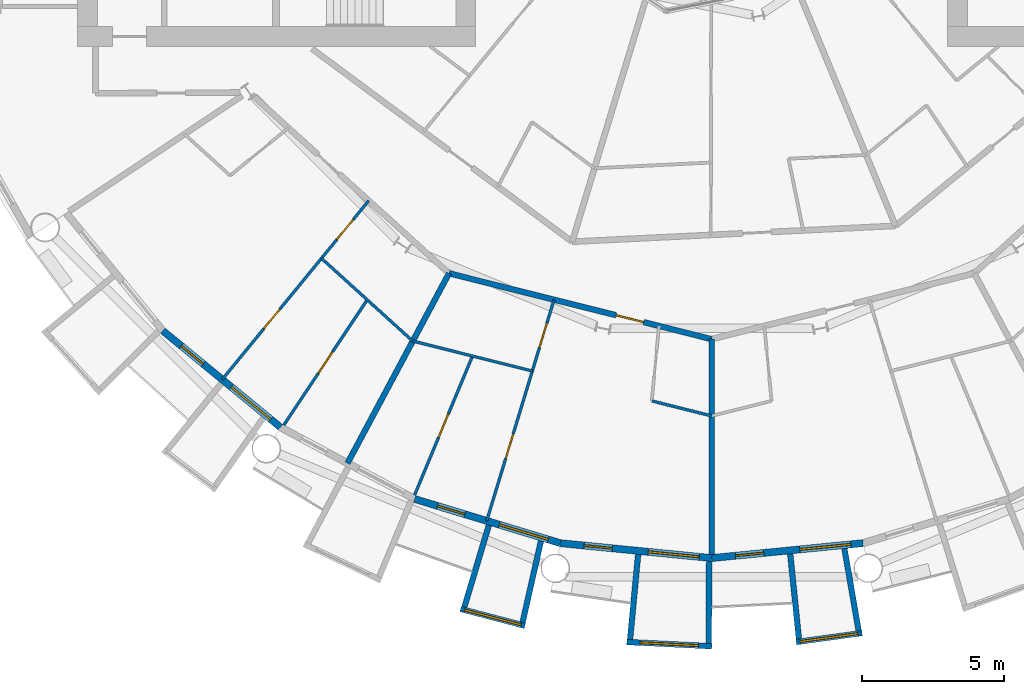
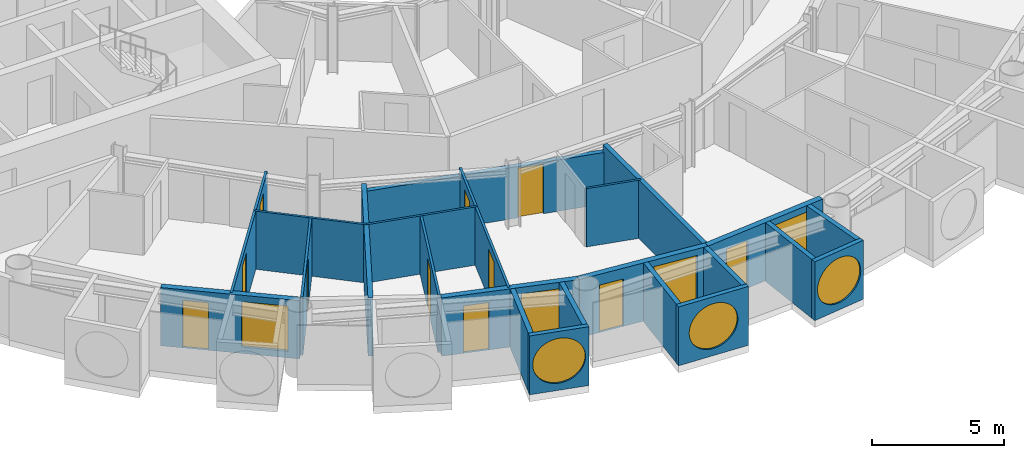
# One storey, part 13 of 26: 23 walls, 11 doors, 7 windows, 18 openings.
"""IFC4 building model written with IfcOpenShell, lengths in metres."""

from ifc_helpers import new_model, si_unit, direction, frame, frame_2d, origin, place, context, subcontext, project, spatial, rectangle, circle, extrude, material, layer, layer_set, type_object, element, fill, save


model = new_model("IFC4")

# Units and contexts
model_context = context("Model", 3, precision=1e-05, world=origin(), true_north=direction((0.0, 1.0)))
body_context = subcontext(model_context, "Body", "Model", "MODEL_VIEW")
ifc_project = project(units=[si_unit("LENGTHUNIT", "METRE"), si_unit("AREAUNIT", "SQUARE_METRE"), si_unit("VOLUMEUNIT", "CUBIC_METRE"), si_unit("PLANEANGLEUNIT", "RADIAN"), si_unit("MASSUNIT", "GRAM", prefix="KILO")], contexts=[model_context])

# Site, building, storey
site_placement = place(None, origin())
site = spatial("IfcSite", under=ifc_project, at=site_placement, CompositionType="ELEMENT")
building_placement = place(site_placement, origin())
building = spatial("IfcBuilding", under=site, at=building_placement, Name="Maasbend Ring Residences", CompositionType="ELEMENT")
storey_placement = place(building_placement, frame((0.0, 0.0, 84.949951171875)))
storey = spatial("IfcBuildingStorey", under=building, at=storey_placement, Name="L24", CompositionType="ELEMENT", Elevation=84.949951171875)

# Wall, opening, door
ifc_material_1 = material(Name="Concrete C30/37", Category="concrete")
ifc_layer_1 = layer(ifc_material_1, 0.199951171875)
ifc_layer_set_1 = layer_set([ifc_layer_1], Name="Concrete C30/37")
wall_type_1 = type_object("IfcWallType", Name="CORRIDOR WALL 200 CONCRETE", PredefinedType="PARTITIONING", material=ifc_layer_set_1)
wall_1_placement = place(storey_placement, frame((-9.241943359375, -17.283935546875, 0.0), z_axis=(0.0, 0.0, 1.0), x_axis=(0.970002158938, -0.243096301198, 0.0)))
wall_1 = element("IfcWall", 1, at=wall_1_placement, inside=storey, type_object=wall_type_1, Name="U-L24-w012", PredefinedType="PARTITIONING", context=body_context, shape_type="SweptSolid", body=[
    extrude(rectangle(XDim=9.52783203125, YDim=0.199951171875, at=frame_2d((4.763916015625, 0.0))), origin(), (0.0, 0.0, 1.0), 2.380126953125),
])
opening_1_placement = place(wall_1_placement, frame((6.06201171875, 0.0, 0.0)))
opening_1 = element("IfcOpeningElement", 2, at=opening_1_placement, cuts=wall_1, Name="Opening D-2438", PredefinedType="OPENING", context=body_context, shape_type="SweptSolid", body=[
    extrude(rectangle(XDim=1.0, YDim=2.300048828125, at=frame_2d((0.5, 1.14990234375))), frame((0.0, 0.10986328125, 0.0), z_axis=(0.0, -1.0, 0.0), x_axis=(1.0, 0.0, 0.0)), (0.0, 0.0, 1.0), 0.219970703125),
])
ifc_material_2 = material(Name="Timber, fire-rated, painted", Category="wood")
door_type_1 = type_object("IfcDoorType", Name="FLAT ENTRANCE DOOR 1000 X 2300 FIRE-RATED", OperationType="NOTDEFINED", PredefinedType="DOOR", material=ifc_material_2)
door_1_placement = place(opening_1_placement, origin())
door_1 = element("IfcDoor", 3, at=door_1_placement, inside=storey, type_object=door_type_1, Name="D-2438", OperationType="SINGLE_SWING_RIGHT", OverallHeight=2.300048828125, OverallWidth=1.0, PredefinedType="DOOR", context=body_context, shape_type="SweptSolid", body=[
    extrude(rectangle(XDim=1.0, YDim=2.300048828125, at=frame_2d((0.5, 1.14990234375))), frame((0.0, 0.02490234375, 0.0), z_axis=(0.0, -1.0, 0.0), x_axis=(1.0, 0.0, 0.0)), (0.0, 0.0, 1.0), 0.050048828125),
])
fill(opening_1, door_1)

# Wall, opening, window
ifc_material_3 = material(Name="Pale anodised aluminium panel", Category="aluminium")
ifc_layer_2 = layer(ifc_material_3, 0.199951171875)
ifc_layer_set_2 = layer_set([ifc_layer_2], Name="EW-BOX")
wall_type_2 = type_object("IfcWallType", Name="EW-BOX", PredefinedType="SOLIDWALL", material=ifc_layer_set_2)
wall_2_placement = place(storey_placement, frame((-8.827880859375, -29.090087890625, -0.030029296875), z_axis=(0.0, 0.0, 1.0), x_axis=(0.967377102346, -0.253340762326, 0.0)))
wall_2 = element("IfcWall", 4, at=wall_2_placement, inside=storey, type_object=wall_type_2, Name="Box front S08", PredefinedType="SOLIDWALL", context=body_context, shape_type="SweptSolid", body=[
    extrude(rectangle(XDim=2.3359375, YDim=0.199951171875, at=frame_2d((1.16796875, 0.0))), origin(), (0.0, 0.0, 1.0), 2.72998046875),
])
opening_2_placement = place(wall_2_placement, frame((0.128173828125, 0.0, 0.330078125)))
opening_2 = element("IfcOpeningElement", 5, at=opening_2_placement, cuts=wall_2, Name="Opening W-RD", PredefinedType="OPENING", context=body_context, shape_type="SweptSolid", body=[
    extrude(circle(Radius=1.0400390625, at=frame_2d((1.0400390625, 1.0400390625))), frame((0.0, 0.10986328125, 0.0), z_axis=(0.0, -1.0, 0.0), x_axis=(1.0, 0.0, 0.0)), (0.0, 0.0, 1.0), 0.219970703125),
])
ifc_material_4 = material(Name="Aluminium and clear glass", Category="aluminium")
window_type_1 = type_object("IfcWindowType", Name="W-RD", PartitioningType="SINGLE_PANEL", PredefinedType="WINDOW", material=ifc_material_4)
window_1_placement = place(opening_2_placement, origin())
window_1 = element("IfcWindow", 6, at=window_1_placement, inside=storey, type_object=window_type_1, Name="Round window S08", OverallHeight=2.080078125, OverallWidth=2.080078125, PartitioningType="SINGLE_PANEL", PredefinedType="WINDOW", context=body_context, shape_type="SweptSolid", body=[
    extrude(circle(Radius=1.0400390625, at=frame_2d((1.0400390625, 1.0400390625))), frame((0.0, 0.030029296875, 0.0), z_axis=(0.0, -1.0, 0.0), x_axis=(1.0, 0.0, 0.0)), (0.0, 0.0, 1.0), 0.06005859375),
])
fill(opening_2, window_1)

# Walls
wall_3_placement = place(storey_placement, frame((-7.8369140625, -26.14404296875, -0.030029296875), z_axis=(0.0, 0.0, 1.0), x_axis=(-0.287064767992, -0.957911174889, 0.0)))
element("IfcWall", 7, at=wall_3_placement, inside=storey, type_object=wall_type_2, Name="Box side wall S08 left", PredefinedType="SOLIDWALL", context=body_context, shape_type="SweptSolid", body=[
    extrude(rectangle(XDim=3.00634765625, YDim=0.199951171875, at=frame_2d((1.503173828125, 0.0))), origin(), (0.0, 0.0, 1.0), 2.72998046875),
])
wall_4_placement = place(storey_placement, frame((-6.00390625, -26.699951171875, -0.030029296875), z_axis=(0.0, 0.0, 1.0), x_axis=(-0.219609259383, -0.975587911566, 0.0)))
element("IfcWall", 8, at=wall_4_placement, inside=storey, type_object=wall_type_2, Name="Box side wall S08 right", PredefinedType="SOLIDWALL", context=body_context, shape_type="SweptSolid", body=[
    extrude(rectangle(XDim=2.9326171875, YDim=0.199951171875, at=frame_2d((1.46630859375, 0.0))), origin(), (0.0, 0.0, 1.0), 2.72998046875),
])

# Wall, opening, window
wall_5_placement = place(storey_placement, frame((-2.985107421875, -30.2529296875, -0.030029296875), z_axis=(0.0, 0.0, 1.0), x_axis=(0.998794083011, -0.049095618353, 0.0)))
wall_5 = element("IfcWall", 9, at=wall_5_placement, inside=storey, type_object=wall_type_2, Name="Box front S10", PredefinedType="SOLIDWALL", context=body_context, shape_type="SweptSolid", body=[
    extrude(rectangle(XDim=2.99365234375, YDim=0.199951171875, at=frame_2d((1.496826171875, 0.0))), origin(), (0.0, 0.0, 1.0), 2.72998046875),
])
opening_3_placement = place(wall_5_placement, frame((0.45654296875, 0.0, 0.330078125)))
opening_3 = element("IfcOpeningElement", 10, at=opening_3_placement, cuts=wall_5, Name="Opening W-RD", PredefinedType="OPENING", context=body_context, shape_type="SweptSolid", body=[
    extrude(circle(Radius=1.0400390625, at=frame_2d((1.0400390625, 1.0400390625))), frame((0.0, 0.10986328125, 0.0), z_axis=(0.0, -1.0, 0.0), x_axis=(1.0, 0.0, 0.0)), (0.0, 0.0, 1.0), 0.219970703125),
])
window_2_placement = place(opening_3_placement, origin())
window_2 = element("IfcWindow", 11, at=window_2_placement, inside=storey, type_object=window_type_1, Name="Round window S10", OverallHeight=2.080078125, OverallWidth=2.080078125, PartitioningType="SINGLE_PANEL", PredefinedType="WINDOW", context=body_context, shape_type="SweptSolid", body=[
    extrude(circle(Radius=1.0400390625, at=frame_2d((1.0400390625, 1.0400390625))), frame((0.0, 0.030029296875, 0.0), z_axis=(0.0, -1.0, 0.0), x_axis=(1.0, 0.0, 0.0)), (0.0, 0.0, 1.0), 0.06005859375),
])
fill(opening_3, window_2)

# Walls
wall_6_placement = place(storey_placement, frame((-2.5859375, -27.1708984375, -0.030029296875), z_axis=(0.0, 0.0, 1.0), x_axis=(-0.094548432284, -0.995520262954, 0.0)))
element("IfcWall", 12, at=wall_6_placement, inside=storey, type_object=wall_type_2, Name="Box side wall S10 left", PredefinedType="SOLIDWALL", context=body_context, shape_type="SweptSolid", body=[
    extrude(rectangle(XDim=3.005615234375, YDim=0.199951171875, at=frame_2d((1.5029296875, 0.0))), origin(), (0.0, 0.0, 1.0), 2.72998046875),
])
wall_7_placement = place(storey_placement, frame((-0.090087890625, -27.4169921875, -0.030029296875), z_axis=(0.0, 0.0, 1.0), x_axis=(-0.00347308367, -0.999993968827, 0.0)))
element("IfcWall", 13, at=wall_7_placement, inside=storey, type_object=wall_type_2, Name="Box side wall S10 right", PredefinedType="SOLIDWALL", context=body_context, shape_type="SweptSolid", body=[
    extrude(rectangle(XDim=2.882080078125, YDim=0.199951171875, at=frame_2d((1.44091796875, 0.0))), origin(), (0.0, 0.0, 1.0), 2.72998046875),
])

# Wall, opening, window
wall_8_placement = place(storey_placement, frame((2.97607421875, -30.25390625, -0.030029296875), z_axis=(0.0, 0.0, 1.0), x_axis=(0.990696111261, 0.136092671119, 0.0)))
wall_8 = element("IfcWall", 14, at=wall_8_placement, inside=storey, type_object=wall_type_2, Name="Box front S12", PredefinedType="SOLIDWALL", context=body_context, shape_type="SweptSolid", body=[
    extrude(rectangle(XDim=2.335693359375, YDim=0.199951171875, at=frame_2d((1.16796875, 0.0))), origin(), (0.0, 0.0, 1.0), 2.72998046875),
])
opening_4_placement = place(wall_8_placement, frame((0.128173828125, 0.0, 0.330078125)))
opening_4 = element("IfcOpeningElement", 15, at=opening_4_placement, cuts=wall_8, Name="Opening W-RD", PredefinedType="OPENING", context=body_context, shape_type="SweptSolid", body=[
    extrude(circle(Radius=1.0400390625, at=frame_2d((1.0400390625, 1.0400390625))), frame((0.0, 0.10986328125, 0.0), z_axis=(0.0, -1.0, 0.0), x_axis=(1.0, 0.0, 0.0)), (0.0, 0.0, 1.0), 0.219970703125),
])
window_3_placement = place(opening_4_placement, origin())
window_3 = element("IfcWindow", 16, at=window_3_placement, inside=storey, type_object=window_type_1, Name="Round window S12", OverallHeight=2.080078125, OverallWidth=2.080078125, PartitioningType="SINGLE_PANEL", PredefinedType="WINDOW", context=body_context, shape_type="SweptSolid", body=[
    extrude(circle(Radius=1.0400390625, at=frame_2d((1.0400390625, 1.0400390625))), frame((0.0, 0.030029296875, 0.0), z_axis=(0.0, -1.0, 0.0), x_axis=(1.0, 0.0, 0.0)), (0.0, 0.0, 1.0), 0.06005859375),
])
fill(opening_4, window_3)

# Walls
wall_9_placement = place(storey_placement, frame((2.763916015625, -27.153076171875, -0.030029296875), z_axis=(0.0, 0.0, 1.0), x_axis=(0.101505487237, -0.994834979311, 0.0)))
element("IfcWall", 17, at=wall_9_placement, inside=storey, type_object=wall_type_2, Name="Box side wall S12 left", PredefinedType="SOLIDWALL", context=body_context, shape_type="SweptSolid", body=[
    extrude(rectangle(XDim=3.006591796875, YDim=0.199951171875, at=frame_2d((1.50341796875, 0.0))), origin(), (0.0, 0.0, 1.0), 2.72998046875),
])
wall_10_placement = place(storey_placement, frame((4.6708984375, -26.966064453125, -0.030029296875), z_axis=(0.0, 0.0, 1.0), x_axis=(0.170539878907, -0.985350774954, 0.0)))
element("IfcWall", 18, at=wall_10_placement, inside=storey, type_object=wall_type_2, Name="Box side wall S12 right", PredefinedType="SOLIDWALL", context=body_context, shape_type="SweptSolid", body=[
    extrude(rectangle(XDim=2.931884765625, YDim=0.199951171875, at=frame_2d((1.4658203125, 0.0))), origin(), (0.0, 0.0, 1.0), 2.72998046875),
])

# Wall, openings, door, window
ifc_material_5 = material(Name="Aluminium clad insulated panel", Category="aluminium")
ifc_layer_3 = layer(ifc_material_5, 0.25)
ifc_layer_set_3 = layer_set([ifc_layer_3], Name="EW-GL")
wall_type_3 = type_object("IfcWallType", Name="EW-GL", PredefinedType="SOLIDWALL", material=ifc_layer_set_3)
wall_11_placement = place(storey_placement, frame((-19.303955078125, -19.303955078125, 0.0), z_axis=(0.0, 0.0, 1.0), x_axis=(0.773019449054, -0.634382322723, 0.0)))
wall_11 = element("IfcWall", 19, at=wall_11_placement, inside=storey, type_object=wall_type_3, Name="External wall S02", PredefinedType="SOLIDWALL", context=body_context, shape_type="SweptSolid", body=[
    extrude(rectangle(XDim=5.351806640625, YDim=0.25, at=frame_2d((2.67578125, 0.0))), origin(), (0.0, 0.0, 1.0), 2.699951171875),
])
opening_5_placement = place(wall_11_placement, frame((0.841064453125, 0.0, 0.0)))
opening_5 = element("IfcOpeningElement", 20, at=opening_5_placement, cuts=wall_11, Name="Opening D-LG", PredefinedType="OPENING", context=body_context, shape_type="SweptSolid", body=[
    extrude(rectangle(XDim=1.0, YDim=2.199951171875, at=frame_2d((0.5, 1.10009765625))), frame((0.0, 0.135009765625, 0.0), z_axis=(0.0, -1.0, 0.0), x_axis=(1.0, 0.0, 0.0)), (0.0, 0.0, 1.0), 0.27001953125),
])
opening_6_placement = place(wall_11_placement, frame((3.110595703125, 0.0, 0.300048828125)))
opening_6 = element("IfcOpeningElement", 21, at=opening_6_placement, cuts=wall_11, Name="Opening W-BX", PredefinedType="OPENING", context=body_context, shape_type="SweptSolid", body=[
    extrude(rectangle(XDim=1.800048828125, YDim=2.10009765625, at=frame_2d((0.89990234375, 1.050048828125))), frame((0.0, 0.135009765625, 0.0), z_axis=(0.0, -1.0, 0.0), x_axis=(1.0, 0.0, 0.0)), (0.0, 0.0, 1.0), 0.27001953125),
])
ifc_material_6 = material(Name="Aluminium and clear glass", Category="aluminium")
door_type_2 = type_object("IfcDoorType", Name="D-LG", OperationType="SINGLE_SWING_LEFT", PredefinedType="DOOR", material=ifc_material_6)
door_2_placement = place(opening_5_placement, origin())
door_2 = element("IfcDoor", 22, at=door_2_placement, inside=storey, type_object=door_type_2, Name="Loggia door S03", OperationType="SINGLE_SWING_LEFT", OverallHeight=2.199951171875, OverallWidth=1.0, PredefinedType="DOOR", context=body_context, shape_type="SweptSolid", body=[
    extrude(rectangle(XDim=1.0, YDim=2.199951171875, at=frame_2d((0.5, 1.10009765625))), frame((0.0, 0.02490234375, 0.0), z_axis=(0.0, -1.0, 0.0), x_axis=(1.0, 0.0, 0.0)), (0.0, 0.0, 1.0), 0.050048828125),
])
fill(opening_5, door_2)
ifc_material_7 = material(Name="Aluminium and clear glass", Category="aluminium")
window_type_2 = type_object("IfcWindowType", Name="W-BX", PartitioningType="DOUBLE_PANEL_VERTICAL", PredefinedType="WINDOW", material=ifc_material_7)
window_4_placement = place(opening_6_placement, origin())
window_4 = element("IfcWindow", 23, at=window_4_placement, inside=storey, type_object=window_type_2, Name="Window S04 room to box", OverallHeight=2.10009765625, OverallWidth=1.800048828125, PartitioningType="SINGLE_PANEL", PredefinedType="WINDOW", context=body_context, shape_type="SweptSolid", body=[
    extrude(rectangle(XDim=1.800048828125, YDim=2.10009765625, at=frame_2d((0.89990234375, 1.050048828125))), frame((0.0, 0.030029296875, 0.0), z_axis=(0.0, -1.0, 0.0), x_axis=(1.0, 0.0, 0.0)), (0.0, 0.0, 1.0), 0.06005859375),
])
fill(opening_6, window_4)

wall_12_placement = place(storey_placement, frame((-10.447021484375, -25.221923828125, 0.0), z_axis=(0.0, 0.0, 1.0), x_axis=(0.956965678721, -0.290201119486, 0.0)))
wall_12 = element("IfcWall", 24, at=wall_12_placement, inside=storey, type_object=wall_type_3, Name="External wall S04", PredefinedType="SOLIDWALL", context=body_context, shape_type="SweptSolid", body=[
    extrude(rectangle(XDim=5.351318359375, YDim=0.25, at=frame_2d((2.67578125, 0.0))), origin(), (0.0, 0.0, 1.0), 2.699951171875),
])
opening_7_placement = place(wall_12_placement, frame((0.841064453125, 0.0, 0.0)))
opening_7 = element("IfcOpeningElement", 25, at=opening_7_placement, cuts=wall_12, Name="Opening D-LG", PredefinedType="OPENING", context=body_context, shape_type="SweptSolid", body=[
    extrude(rectangle(XDim=1.0, YDim=2.199951171875, at=frame_2d((0.5, 1.10009765625))), frame((0.0, 0.135009765625, 0.0), z_axis=(0.0, -1.0, 0.0), x_axis=(1.0, 0.0, 0.0)), (0.0, 0.0, 1.0), 0.27001953125),
])
opening_8_placement = place(wall_12_placement, frame((3.110595703125, 0.0, 0.300048828125)))
opening_8 = element("IfcOpeningElement", 26, at=opening_8_placement, cuts=wall_12, Name="Opening W-BX", PredefinedType="OPENING", context=body_context, shape_type="SweptSolid", body=[
    extrude(rectangle(XDim=1.800048828125, YDim=2.10009765625, at=frame_2d((0.89990234375, 1.050048828125))), frame((0.0, 0.135009765625, 0.0), z_axis=(0.0, -1.0, 0.0), x_axis=(1.0, 0.0, 0.0)), (0.0, 0.0, 1.0), 0.27001953125),
])
door_3_placement = place(opening_7_placement, origin())
door_3 = element("IfcDoor", 27, at=door_3_placement, inside=storey, type_object=door_type_2, Name="Loggia door S07", OperationType="SINGLE_SWING_LEFT", OverallHeight=2.199951171875, OverallWidth=1.0, PredefinedType="DOOR", context=body_context, shape_type="SweptSolid", body=[
    extrude(rectangle(XDim=1.0, YDim=2.199951171875, at=frame_2d((0.5, 1.10009765625))), frame((0.0, 0.02490234375, 0.0), z_axis=(0.0, -1.0, 0.0), x_axis=(1.0, 0.0, 0.0)), (0.0, 0.0, 1.0), 0.050048828125),
])
fill(opening_7, door_3)
window_5_placement = place(opening_8_placement, origin())
window_5 = element("IfcWindow", 28, at=window_5_placement, inside=storey, type_object=window_type_2, Name="Window S08 room to box", OverallHeight=2.10009765625, OverallWidth=1.800048828125, PartitioningType="SINGLE_PANEL", PredefinedType="WINDOW", context=body_context, shape_type="SweptSolid", body=[
    extrude(rectangle(XDim=1.800048828125, YDim=2.10009765625, at=frame_2d((0.89990234375, 1.050048828125))), frame((0.0, 0.030029296875, 0.0), z_axis=(0.0, -1.0, 0.0), x_axis=(1.0, 0.0, 0.0)), (0.0, 0.0, 1.0), 0.06005859375),
])
fill(opening_8, window_5)

wall_13_placement = place(storey_placement, frame((-5.325927734375, -26.77490234375, 0.0), z_axis=(0.0, 0.0, 1.0), x_axis=(0.995173996315, -0.098126026407, 0.0)))
wall_13 = element("IfcWall", 29, at=wall_13_placement, inside=storey, type_object=wall_type_3, Name="External wall S05", PredefinedType="SOLIDWALL", context=body_context, shape_type="SweptSolid", body=[
    extrude(rectangle(XDim=5.351806640625, YDim=0.25, at=frame_2d((2.67578125, 0.0))), origin(), (0.0, 0.0, 1.0), 2.699951171875),
])
opening_9_placement = place(wall_13_placement, frame((0.841064453125, 0.0, 0.0)))
opening_9 = element("IfcOpeningElement", 30, at=opening_9_placement, cuts=wall_13, Name="Opening D-LG", PredefinedType="OPENING", context=body_context, shape_type="SweptSolid", body=[
    extrude(rectangle(XDim=1.0, YDim=2.199951171875, at=frame_2d((0.5, 1.10009765625))), frame((0.0, 0.135009765625, 0.0), z_axis=(0.0, -1.0, 0.0), x_axis=(1.0, 0.0, 0.0)), (0.0, 0.0, 1.0), 0.27001953125),
])
opening_10_placement = place(wall_13_placement, frame((3.110595703125, 0.0, 0.300048828125)))
opening_10 = element("IfcOpeningElement", 31, at=opening_10_placement, cuts=wall_13, Name="Opening W-BX", PredefinedType="OPENING", context=body_context, shape_type="SweptSolid", body=[
    extrude(rectangle(XDim=1.800048828125, YDim=2.10009765625, at=frame_2d((0.89990234375, 1.050048828125))), frame((0.0, 0.135009765625, 0.0), z_axis=(0.0, -1.0, 0.0), x_axis=(1.0, 0.0, 0.0)), (0.0, 0.0, 1.0), 0.27001953125),
])
door_4_placement = place(opening_9_placement, origin())
door_4 = element("IfcDoor", 32, at=door_4_placement, inside=storey, type_object=door_type_2, Name="Loggia door S09", OperationType="SINGLE_SWING_LEFT", OverallHeight=2.199951171875, OverallWidth=1.0, PredefinedType="DOOR", context=body_context, shape_type="SweptSolid", body=[
    extrude(rectangle(XDim=1.0, YDim=2.199951171875, at=frame_2d((0.5, 1.10009765625))), frame((0.0, 0.02490234375, 0.0), z_axis=(0.0, -1.0, 0.0), x_axis=(1.0, 0.0, 0.0)), (0.0, 0.0, 1.0), 0.050048828125),
])
fill(opening_9, door_4)
window_6_placement = place(opening_10_placement, origin())
window_6 = element("IfcWindow", 33, at=window_6_placement, inside=storey, type_object=window_type_2, Name="Window S10 room to box", OverallHeight=2.10009765625, OverallWidth=1.800048828125, PartitioningType="SINGLE_PANEL", PredefinedType="WINDOW", context=body_context, shape_type="SweptSolid", body=[
    extrude(rectangle(XDim=1.800048828125, YDim=2.10009765625, at=frame_2d((0.89990234375, 1.050048828125))), frame((0.0, 0.030029296875, 0.0), z_axis=(0.0, -1.0, 0.0), x_axis=(1.0, 0.0, 0.0)), (0.0, 0.0, 1.0), 0.06005859375),
])
fill(opening_10, window_6)

wall_14_placement = place(storey_placement, frame((0.0, -27.300048828125, 0.0), z_axis=(0.0, 0.0, 1.0), x_axis=(0.995173996315, 0.098126026407, 0.0)))
wall_14 = element("IfcWall", 34, at=wall_14_placement, inside=storey, type_object=wall_type_3, Name="External wall S06", PredefinedType="SOLIDWALL", context=body_context, shape_type="SweptSolid", body=[
    extrude(rectangle(XDim=5.351806640625, YDim=0.25, at=frame_2d((2.67578125, 0.0))), origin(), (0.0, 0.0, 1.0), 2.699951171875),
])
opening_11_placement = place(wall_14_placement, frame((0.841064453125, 0.0, 0.0)))
opening_11 = element("IfcOpeningElement", 35, at=opening_11_placement, cuts=wall_14, Name="Opening D-LG", PredefinedType="OPENING", context=body_context, shape_type="SweptSolid", body=[
    extrude(rectangle(XDim=1.0, YDim=2.199951171875, at=frame_2d((0.5, 1.10009765625))), frame((0.0, 0.135009765625, 0.0), z_axis=(0.0, -1.0, 0.0), x_axis=(1.0, 0.0, 0.0)), (0.0, 0.0, 1.0), 0.27001953125),
])
opening_12_placement = place(wall_14_placement, frame((3.110595703125, 0.0, 0.300048828125)))
opening_12 = element("IfcOpeningElement", 36, at=opening_12_placement, cuts=wall_14, Name="Opening W-BX", PredefinedType="OPENING", context=body_context, shape_type="SweptSolid", body=[
    extrude(rectangle(XDim=1.800048828125, YDim=2.10009765625, at=frame_2d((0.89990234375, 1.050048828125))), frame((0.0, 0.135009765625, 0.0), z_axis=(0.0, -1.0, 0.0), x_axis=(1.0, 0.0, 0.0)), (0.0, 0.0, 1.0), 0.27001953125),
])
door_5_placement = place(opening_11_placement, origin())
door_5 = element("IfcDoor", 37, at=door_5_placement, inside=storey, type_object=door_type_2, Name="Loggia door S11", OperationType="SINGLE_SWING_LEFT", OverallHeight=2.199951171875, OverallWidth=1.0, PredefinedType="DOOR", context=body_context, shape_type="SweptSolid", body=[
    extrude(rectangle(XDim=1.0, YDim=2.199951171875, at=frame_2d((0.5, 1.10009765625))), frame((0.0, 0.02490234375, 0.0), z_axis=(0.0, -1.0, 0.0), x_axis=(1.0, 0.0, 0.0)), (0.0, 0.0, 1.0), 0.050048828125),
])
fill(opening_11, door_5)
window_7_placement = place(opening_12_placement, origin())
window_7 = element("IfcWindow", 38, at=window_7_placement, inside=storey, type_object=window_type_2, Name="Window S12 room to box", OverallHeight=2.10009765625, OverallWidth=1.800048828125, PartitioningType="SINGLE_PANEL", PredefinedType="WINDOW", context=body_context, shape_type="SweptSolid", body=[
    extrude(rectangle(XDim=1.800048828125, YDim=2.10009765625, at=frame_2d((0.89990234375, 1.050048828125))), frame((0.0, 0.030029296875, 0.0), z_axis=(0.0, -1.0, 0.0), x_axis=(1.0, 0.0, 0.0)), (0.0, 0.0, 1.0), 0.06005859375),
])
fill(opening_12, window_7)

# Walls
ifc_material_8 = material(Name="Gypsum board on steel studs", Category="steel")
ifc_layer_4 = layer(ifc_material_8, 0.10009765625)
ifc_layer_set_4 = layer_set([ifc_layer_4], Name="PARTITION 100 GYPSUM")
wall_type_4 = type_object("IfcWallType", Name="PARTITION 100 GYPSUM", PredefinedType="PARTITIONING", material=ifc_layer_set_4)
wall_15_placement = place(storey_placement, frame((-13.72705078125, -16.75390625, 0.0), z_axis=(0.0, 0.0, 1.0), x_axis=(0.740840803797, -0.671680655839, 0.0)))
element("IfcWall", 39, at=wall_15_placement, inside=storey, type_object=wall_type_4, Name="U-L24-w004", PredefinedType="PARTITIONING", context=body_context, shape_type="SweptSolid", body=[
    extrude(rectangle(XDim=4.33837890625, YDim=0.10009765625, at=frame_2d((2.169189453125, 0.0))), origin(), (0.0, 0.0, 1.0), 2.699951171875),
])
wall_16_placement = place(storey_placement, frame((-10.51611328125, -19.666015625, 0.0), z_axis=(0.0, 0.0, 1.0), x_axis=(0.97005315629, -0.242892721118, 0.0)))
element("IfcWall", 40, at=wall_16_placement, inside=storey, type_object=wall_type_4, Name="U-L24-w005", PredefinedType="PARTITIONING", context=body_context, shape_type="SweptSolid", body=[
    extrude(rectangle(XDim=4.34326171875, YDim=0.10009765625, at=frame_2d((2.171630859375, 0.0))), origin(), (0.0, 0.0, 1.0), 2.699951171875),
])
wall_17_placement = place(storey_placement, frame((-2.095947265625, -21.77392578125, 0.0), z_axis=(0.0, 0.0, 1.0), x_axis=(0.969969957613, -0.24322475476, 0.0)))
element("IfcWall", 41, at=wall_17_placement, inside=storey, type_object=wall_type_4, Name="U-L24-w006", PredefinedType="PARTITIONING", context=body_context, shape_type="SweptSolid", body=[
    extrude(rectangle(XDim=2.167236328125, YDim=0.10009765625, at=frame_2d((1.08349609375, 0.0))), origin(), (0.0, 0.0, 1.0), 2.699951171875),
])

# Wall, openings, doors
wall_18_placement = place(storey_placement, frame((-17.218994140625, -21.02294921875, 0.0), z_axis=(0.0, 0.0, 1.0), x_axis=(0.633664062855, 0.773608334654, 0.0)))
wall_18 = element("IfcWall", 42, at=wall_18_placement, inside=storey, type_object=wall_type_4, Name="U-L24-w031", PredefinedType="PARTITIONING", context=body_context, shape_type="SweptSolid", body=[
    extrude(rectangle(XDim=8.138427734375, YDim=0.10009765625, at=frame_2d((4.0693359375, 0.0))), origin(), (0.0, 0.0, 1.0), 2.699951171875),
])
opening_13_placement = place(wall_18_placement, frame((6.376953125, 0.0, 0.0)))
opening_13 = element("IfcOpeningElement", 43, at=opening_13_placement, cuts=wall_18, Name="Opening D-2435", PredefinedType="OPENING", context=body_context, shape_type="SweptSolid", body=[
    extrude(rectangle(XDim=0.89990234375, YDim=2.300048828125, at=frame_2d((0.449951171875, 1.14990234375))), frame((0.0, 0.06005859375, 0.0), z_axis=(0.0, -1.0, 0.0), x_axis=(1.0, 0.0, 0.0)), (0.0, 0.0, 1.0), 0.1201171875),
])
opening_14_placement = place(wall_18_placement, frame((2.30810546875, 0.0, 0.0)))
opening_14 = element("IfcOpeningElement", 44, at=opening_14_placement, cuts=wall_18, Name="Opening D-2436", PredefinedType="OPENING", context=body_context, shape_type="SweptSolid", body=[
    extrude(rectangle(XDim=0.89990234375, YDim=2.300048828125, at=frame_2d((0.449951171875, 1.14990234375))), frame((0.0, 0.06005859375, 0.0), z_axis=(0.0, -1.0, 0.0), x_axis=(1.0, 0.0, 0.0)), (0.0, 0.0, 1.0), 0.1201171875),
])
ifc_material_9 = material(Name="Timber, painted", Category="wood")
door_type_3 = type_object("IfcDoorType", Name="INTERNAL DOOR 900 X 2300", OperationType="NOTDEFINED", PredefinedType="DOOR", material=ifc_material_9)
door_6_placement = place(opening_13_placement, origin())
door_6 = element("IfcDoor", 45, at=door_6_placement, inside=storey, type_object=door_type_3, Name="D-2435", OperationType="SINGLE_SWING_RIGHT", OverallHeight=2.300048828125, OverallWidth=0.89990234375, PredefinedType="DOOR", context=body_context, shape_type="SweptSolid", body=[
    extrude(rectangle(XDim=0.89990234375, YDim=2.300048828125, at=frame_2d((0.449951171875, 1.14990234375))), frame((0.0, 0.02490234375, 0.0), z_axis=(0.0, -1.0, 0.0), x_axis=(1.0, 0.0, 0.0)), (0.0, 0.0, 1.0), 0.050048828125),
])
fill(opening_13, door_6)
door_7_placement = place(opening_14_placement, origin())
door_7 = element("IfcDoor", 46, at=door_7_placement, inside=storey, type_object=door_type_3, Name="D-2436", OperationType="SINGLE_SWING_LEFT", OverallHeight=2.300048828125, OverallWidth=0.89990234375, PredefinedType="DOOR", context=body_context, shape_type="SweptSolid", body=[
    extrude(rectangle(XDim=0.89990234375, YDim=2.300048828125, at=frame_2d((0.449951171875, 1.14990234375))), frame((0.0, 0.02490234375, 0.0), z_axis=(0.0, -1.0, 0.0), x_axis=(1.0, 0.0, 0.0)), (0.0, 0.0, 1.0), 0.050048828125),
])
fill(opening_14, door_7)

# Wall, opening, door
wall_19_placement = place(storey_placement, frame((-15.051025390625, -22.6259765625, 0.0), z_axis=(0.0, 0.0, 1.0), x_axis=(0.553913391217, 0.832574294, 0.0)))
wall_19 = element("IfcWall", 47, at=wall_19_placement, inside=storey, type_object=wall_type_4, Name="U-L24-w035", PredefinedType="PARTITIONING", context=body_context, shape_type="SweptSolid", body=[
    extrude(rectangle(XDim=5.300537109375, YDim=0.10009765625, at=frame_2d((2.650390625, 0.0))), origin(), (0.0, 0.0, 1.0), 2.699951171875),
])
opening_15_placement = place(wall_19_placement, frame((2.199951171875, 0.0, 0.0)))
opening_15 = element("IfcOpeningElement", 48, at=opening_15_placement, cuts=wall_19, Name="Opening D-2437", PredefinedType="OPENING", context=body_context, shape_type="SweptSolid", body=[
    extrude(rectangle(XDim=0.89990234375, YDim=2.300048828125, at=frame_2d((0.449951171875, 1.14990234375))), frame((0.0, 0.06005859375, 0.0), z_axis=(0.0, -1.0, 0.0), x_axis=(1.0, 0.0, 0.0)), (0.0, 0.0, 1.0), 0.1201171875),
])
door_8_placement = place(opening_15_placement, origin())
door_8 = element("IfcDoor", 49, at=door_8_placement, inside=storey, type_object=door_type_3, Name="D-2437", OperationType="SINGLE_SWING_RIGHT", OverallHeight=2.300048828125, OverallWidth=0.89990234375, PredefinedType="DOOR", context=body_context, shape_type="SweptSolid", body=[
    extrude(rectangle(XDim=0.89990234375, YDim=2.300048828125, at=frame_2d((0.449951171875, 1.14990234375))), frame((0.0, 0.02490234375, 0.0), z_axis=(0.0, -1.0, 0.0), x_axis=(1.0, 0.0, 0.0)), (0.0, 0.0, 1.0), 0.050048828125),
])
fill(opening_15, door_8)

wall_20_placement = place(storey_placement, frame((-10.449951171875, -25.0849609375, 0.0), z_axis=(0.0, 0.0, 1.0), x_axis=(0.384464934183, 0.923139596369, 0.0)))
wall_20 = element("IfcWall", 50, at=wall_20_placement, inside=storey, type_object=wall_type_4, Name="U-L24-w038", PredefinedType="PARTITIONING", context=body_context, shape_type="SweptSolid", body=[
    extrude(rectangle(XDim=5.300537109375, YDim=0.10009765625, at=frame_2d((2.650390625, 0.0))), origin(), (0.0, 0.0, 1.0), 2.699951171875),
])
opening_16_placement = place(wall_20_placement, frame((2.199951171875, 0.0, 0.0)))
opening_16 = element("IfcOpeningElement", 51, at=opening_16_placement, cuts=wall_20, Name="Opening D-2442", PredefinedType="OPENING", context=body_context, shape_type="SweptSolid", body=[
    extrude(rectangle(XDim=0.89990234375, YDim=2.300048828125, at=frame_2d((0.449951171875, 1.14990234375))), frame((0.0, 0.06005859375, 0.0), z_axis=(0.0, -1.0, 0.0), x_axis=(1.0, 0.0, 0.0)), (0.0, 0.0, 1.0), 0.1201171875),
])
door_9_placement = place(opening_16_placement, origin())
door_9 = element("IfcDoor", 52, at=door_9_placement, inside=storey, type_object=door_type_3, Name="D-2442", OperationType="SINGLE_SWING_RIGHT", OverallHeight=2.300048828125, OverallWidth=0.89990234375, PredefinedType="DOOR", context=body_context, shape_type="SweptSolid", body=[
    extrude(rectangle(XDim=0.89990234375, YDim=2.300048828125, at=frame_2d((0.449951171875, 1.14990234375))), frame((0.0, 0.02490234375, 0.0), z_axis=(0.0, -1.0, 0.0), x_axis=(1.0, 0.0, 0.0)), (0.0, 0.0, 1.0), 0.050048828125),
])
fill(opening_16, door_9)

# Wall, openings, doors
wall_21_placement = place(storey_placement, frame((-7.9140625, -25.9970703125, 0.0), z_axis=(0.0, 0.0, 1.0), x_axis=(0.291319167605, 0.956625915698, 0.0)))
wall_21 = element("IfcWall", 53, at=wall_21_placement, inside=storey, type_object=wall_type_4, Name="U-L24-w042", PredefinedType="PARTITIONING", context=body_context, shape_type="SweptSolid", body=[
    extrude(rectangle(XDim=8.13916015625, YDim=0.10009765625, at=frame_2d((4.069580078125, 0.0))), origin(), (0.0, 0.0, 1.0), 2.699951171875),
])
opening_17_placement = place(wall_21_placement, frame((6.376953125, 0.0, 0.0)))
opening_17 = element("IfcOpeningElement", 54, at=opening_17_placement, cuts=wall_21, Name="Opening D-2440", PredefinedType="OPENING", context=body_context, shape_type="SweptSolid", body=[
    extrude(rectangle(XDim=0.89990234375, YDim=2.300048828125, at=frame_2d((0.449951171875, 1.14990234375))), frame((0.0, 0.06005859375, 0.0), z_axis=(0.0, -1.0, 0.0), x_axis=(1.0, 0.0, 0.0)), (0.0, 0.0, 1.0), 0.1201171875),
])
opening_18_placement = place(wall_21_placement, frame((2.30810546875, 0.0, 0.0)))
opening_18 = element("IfcOpeningElement", 55, at=opening_18_placement, cuts=wall_21, Name="Opening D-2441", PredefinedType="OPENING", context=body_context, shape_type="SweptSolid", body=[
    extrude(rectangle(XDim=0.89990234375, YDim=2.300048828125, at=frame_2d((0.449951171875, 1.14990234375))), frame((0.0, 0.06005859375, 0.0), z_axis=(0.0, -1.0, 0.0), x_axis=(1.0, 0.0, 0.0)), (0.0, 0.0, 1.0), 0.1201171875),
])
door_10_placement = place(opening_17_placement, origin())
door_10 = element("IfcDoor", 56, at=door_10_placement, inside=storey, type_object=door_type_3, Name="D-2440", OperationType="SINGLE_SWING_RIGHT", OverallHeight=2.300048828125, OverallWidth=0.89990234375, PredefinedType="DOOR", context=body_context, shape_type="SweptSolid", body=[
    extrude(rectangle(XDim=0.89990234375, YDim=2.300048828125, at=frame_2d((0.449951171875, 1.14990234375))), frame((0.0, 0.02490234375, 0.0), z_axis=(0.0, -1.0, 0.0), x_axis=(1.0, 0.0, 0.0)), (0.0, 0.0, 1.0), 0.050048828125),
])
fill(opening_17, door_10)
door_11_placement = place(opening_18_placement, origin())
door_11 = element("IfcDoor", 57, at=door_11_placement, inside=storey, type_object=door_type_3, Name="D-2441", OperationType="SINGLE_SWING_LEFT", OverallHeight=2.300048828125, OverallWidth=0.89990234375, PredefinedType="DOOR", context=body_context, shape_type="SweptSolid", body=[
    extrude(rectangle(XDim=0.89990234375, YDim=2.300048828125, at=frame_2d((0.449951171875, 1.14990234375))), frame((0.0, 0.02490234375, 0.0), z_axis=(0.0, -1.0, 0.0), x_axis=(1.0, 0.0, 0.0)), (0.0, 0.0, 1.0), 0.050048828125),
])
fill(opening_18, door_11)

# Walls
ifc_material_10 = material(Name="Concrete C30/37", Category="concrete")
ifc_layer_5 = layer(ifc_material_10, 0.199951171875)
ifc_layer_set_5 = layer_set([ifc_layer_5], Name="Concrete C30/37")
wall_type_5 = type_object("IfcWallType", Name="PARTY WALL 200 CONCRETE", PredefinedType="PARTITIONING", material=ifc_layer_set_5)
wall_22_placement = place(storey_placement, frame((-12.81005859375, -23.966064453125, 0.0), z_axis=(0.0, 0.0, 1.0), x_axis=(0.471439510802, 0.881898399848, 0.0)))
element("IfcWall", 58, at=wall_22_placement, inside=storey, type_object=wall_type_5, Name="U-L24-w037", PredefinedType="PARTITIONING", context=body_context, shape_type="SweptSolid", body=[
    extrude(rectangle(XDim=7.57470703125, YDim=0.199951171875, at=frame_2d((3.787353515625, 0.0))), origin(), (0.0, 0.0, 1.0), 2.699951171875),
])
wall_23_placement = place(storey_placement, frame((0.0, -27.175048828125, 0.0), z_axis=(0.0, 0.0, 1.0), x_axis=(0.0, 1.0, 0.0)))
element("IfcWall", 59, at=wall_23_placement, inside=storey, type_object=wall_type_5, Name="U-L24-w053", PredefinedType="PARTITIONING", context=body_context, shape_type="SweptSolid", body=[
    extrude(rectangle(XDim=7.574951171875, YDim=0.199951171875, at=frame_2d((3.78759765625, 0.0))), origin(), (0.0, 0.0, 1.0), 2.699951171875),
])

save(model, "model.ifc")
